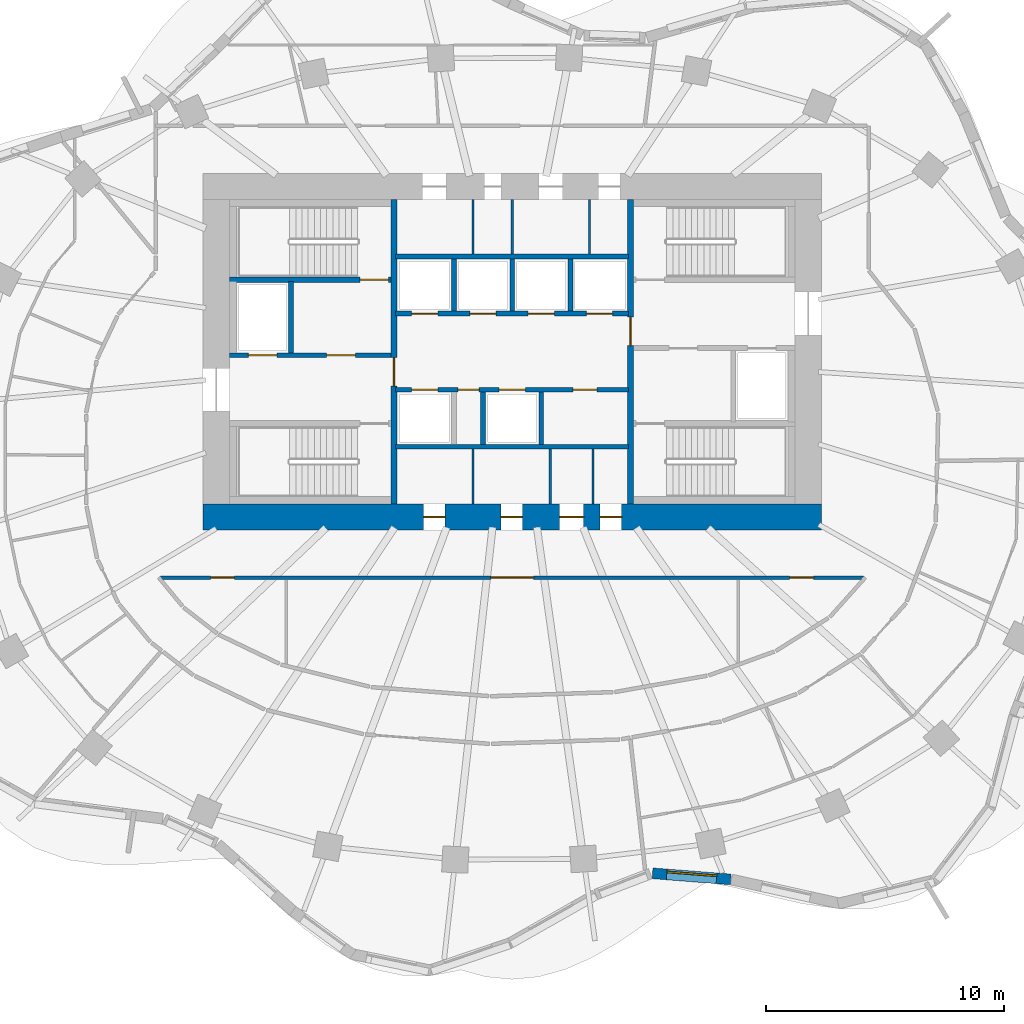
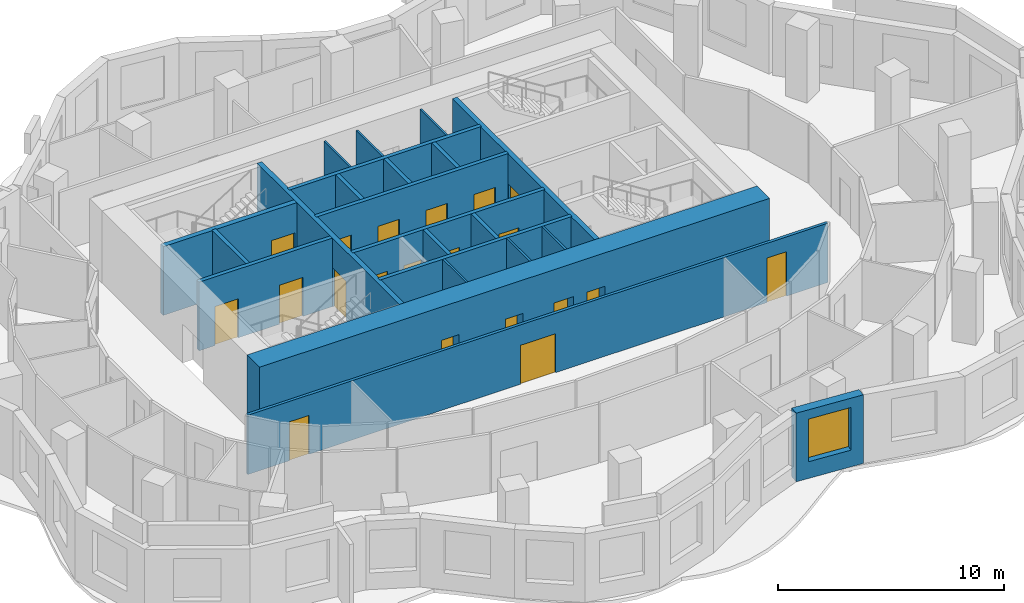
# One storey, part 5 of 10: 23 walls, 20 doors, 1 window, 21 openings.
"""IFC4 building model written with IfcOpenShell, lengths in metres."""

from ifc_helpers import new_model, si_unit, direction, frame, frame_2d, origin, place, context, subcontext, project, spatial, rectangle, extrude, material, layer, layer_set, type_object, element, fill, save


model = new_model("IFC4")

# Units and contexts
model_context = context("Model", 3, precision=1e-05, world=origin(), true_north=direction((0.0, 1.0)))
body_context = subcontext(model_context, "Body", "Model", "MODEL_VIEW")
ifc_project = project(units=[si_unit("LENGTHUNIT", "METRE"), si_unit("AREAUNIT", "SQUARE_METRE"), si_unit("VOLUMEUNIT", "CUBIC_METRE"), si_unit("PLANEANGLEUNIT", "RADIAN"), si_unit("MASSUNIT", "GRAM", prefix="KILO")], contexts=[model_context])

# Site, building, storey
site_placement = place(None, origin())
site = spatial("IfcSite", under=ifc_project, at=site_placement, CompositionType="ELEMENT")
building_placement = place(site_placement, origin())
building = spatial("IfcBuilding", under=site, at=building_placement, Name="Rubra Terraces Tower", CompositionType="ELEMENT")
storey_placement = place(building_placement, frame((0.0, 0.0, 161.699951171875)))
storey = spatial("IfcBuildingStorey", under=building, at=storey_placement, Name="L39", CompositionType="ELEMENT", Elevation=161.699951171875)

# Wall, opening, window
ifc_material_1 = material(Name="Brick masonry red-brown", Category="masonry")
ifc_layer_1 = layer(ifc_material_1, 0.449951171875)
ifc_layer_set_1 = layer_set([ifc_layer_1], Name="Brick masonry red-brown")
wall_type_1 = type_object("IfcWallType", Name="Brick facade wall 450", PredefinedType="SOLIDWALL", material=ifc_layer_set_1)
wall_1_placement = place(storey_placement, frame((5.902587890625, -17.4404296875, 0.0), z_axis=(0.0, 0.0, 1.0), x_axis=(0.996964477799, -0.077857754954, 0.0)))
wall_1 = element("IfcWall", 1, at=wall_1_placement, inside=storey, type_object=wall_type_1, Name="Facade wall L39 bay 33", PredefinedType="SOLIDWALL", context=body_context, shape_type="SweptSolid", body=[
    extrude(rectangle(XDim=3.295654296875, YDim=0.449951171875, at=frame_2d((1.64794921875, 0.0))), origin(), (0.0, 0.0, 1.0), 3.699951171875),
])
opening_1_placement = place(wall_1_placement, frame((0.597900390625, 0.0, 0.89990234375)))
opening_1 = element("IfcOpeningElement", 2, at=opening_1_placement, cuts=wall_1, Name="Opening W1B", PredefinedType="OPENING", context=body_context, shape_type="SweptSolid", body=[
    extrude(rectangle(XDim=2.10009765625, YDim=2.300048828125, at=frame_2d((1.050048828125, 1.14990234375))), frame((0.0, 0.23486328125, 0.0), z_axis=(0.0, -1.0, 0.0), x_axis=(1.0, 0.0, 0.0)), (0.0, 0.0, 1.0), 0.469970703125),
])
ifc_material_2 = material(Name="Clear glass in aluminium frame", Category="aluminium")
window_type = type_object("IfcWindowType", Name="Fixed deep-set window tall storey 2100 x 2300", PartitioningType="SINGLE_PANEL", PredefinedType="WINDOW", material=ifc_material_2)
window_placement = place(opening_1_placement, origin())
window = element("IfcWindow", 3, at=window_placement, inside=storey, type_object=window_type, Name="Window L39 bay 33", OverallHeight=2.300048828125, OverallWidth=2.10009765625, PartitioningType="SINGLE_PANEL", PredefinedType="WINDOW", context=body_context, shape_type="SweptSolid", body=[
    extrude(rectangle(XDim=2.10009765625, YDim=2.300048828125, at=frame_2d((1.050048828125, 1.14990234375))), frame((0.0, 0.135009765625, 0.0), z_axis=(0.0, -1.0, 0.0), x_axis=(1.0, 0.0, 0.0)), (0.0, 0.0, 1.0), 0.06005859375),
])
fill(opening_1, window)

# Wall, openings, doors
ifc_material_3 = material(Name="Concrete C60", Category="concrete")
ifc_layer_2 = layer(ifc_material_3, 1.10009765625)
ifc_layer_set_2 = layer_set([ifc_layer_2], Name="Concrete C60")
wall_type_2 = type_object("IfcWallType", Name="CORE WALL 1100 C60", PredefinedType="SHEAR", material=ifc_layer_set_2)
wall_2_placement = place(storey_placement, frame((-13.0, -2.449951171875, 0.0), z_axis=(0.0, 0.0, 1.0), x_axis=(1.0, 0.0, 0.0)))
wall_2 = element("IfcWall", 4, at=wall_2_placement, inside=storey, type_object=wall_type_2, Name="CORE WALL S L39", PredefinedType="SHEAR", context=body_context, shape_type="SweptSolid", body=[
    extrude(rectangle(XDim=26.0, YDim=1.10009765625, at=frame_2d((13.0, 0.0))), origin(), (0.0, 0.0, 1.0), 3.900146484375),
])
opening_2_placement = place(wall_2_placement, frame((9.27490234375, 0.0, 0.0)))
opening_2 = element("IfcOpeningElement", 5, at=opening_2_placement, cuts=wall_2, Name="Opening L39.C21", PredefinedType="OPENING", context=body_context, shape_type="SweptSolid", body=[
    extrude(rectangle(XDim=0.89990234375, YDim=2.10009765625, at=frame_2d((0.449951171875, 1.050048828125))), frame((0.0, 0.56005859375, 0.0), z_axis=(0.0, -1.0, 0.0), x_axis=(1.0, 0.0, 0.0)), (0.0, 0.0, 1.0), 1.1201171875),
])
opening_3_placement = place(wall_2_placement, frame((12.52490234375, 0.0, 0.0)))
opening_3 = element("IfcOpeningElement", 6, at=opening_3_placement, cuts=wall_2, Name="Opening L39.C22", PredefinedType="OPENING", context=body_context, shape_type="SweptSolid", body=[
    extrude(rectangle(XDim=0.89990234375, YDim=2.10009765625, at=frame_2d((0.449951171875, 1.050048828125))), frame((0.0, 0.56005859375, 0.0), z_axis=(0.0, -1.0, 0.0), x_axis=(1.0, 0.0, 0.0)), (0.0, 0.0, 1.0), 1.1201171875),
])
opening_4_placement = place(wall_2_placement, frame((15.0, 0.0, 0.0)))
opening_4 = element("IfcOpeningElement", 7, at=opening_4_placement, cuts=wall_2, Name="Opening L39.C23", PredefinedType="OPENING", context=body_context, shape_type="SweptSolid", body=[
    extrude(rectangle(XDim=1.0, YDim=2.10009765625, at=frame_2d((0.5, 1.050048828125))), frame((0.0, 0.56005859375, 0.0), z_axis=(0.0, -1.0, 0.0), x_axis=(1.0, 0.0, 0.0)), (0.0, 0.0, 1.0), 1.1201171875),
])
opening_5_placement = place(wall_2_placement, frame((16.699951171875, 0.0, 0.0)))
opening_5 = element("IfcOpeningElement", 8, at=opening_5_placement, cuts=wall_2, Name="Opening L39.C24", PredefinedType="OPENING", context=body_context, shape_type="SweptSolid", body=[
    extrude(rectangle(XDim=0.89990234375, YDim=2.10009765625, at=frame_2d((0.449951171875, 1.050048828125))), frame((0.0, 0.56005859375, 0.0), z_axis=(0.0, -1.0, 0.0), x_axis=(1.0, 0.0, 0.0)), (0.0, 0.0, 1.0), 1.1201171875),
])
ifc_material_4 = material(Name="Painted steel", Category="steel")
door_type_1 = type_object("IfcDoorType", Name="Fire door 1000x2100 single", OperationType="NOTDEFINED", PredefinedType="DOOR", material=ifc_material_4)
door_1_placement = place(opening_4_placement, origin())
door_1 = element("IfcDoor", 9, at=door_1_placement, inside=storey, type_object=door_type_1, Name="Accessible WC door", OperationType="SINGLE_SWING_LEFT", OverallHeight=2.10009765625, OverallWidth=1.0, PredefinedType="DOOR", context=body_context, shape_type="SweptSolid", body=[
    extrude(rectangle(XDim=1.0, YDim=2.10009765625, at=frame_2d((0.5, 1.050048828125))), frame((0.0, 0.02490234375, 0.0), z_axis=(0.0, -1.0, 0.0), x_axis=(1.0, 0.0, 0.0)), (0.0, 0.0, 1.0), 0.050048828125),
])
fill(opening_4, door_1)
door_type_2 = type_object("IfcDoorType", Name="Fire door 900x2100 single", OperationType="NOTDEFINED", PredefinedType="DOOR", material=ifc_material_4)
door_2_placement = place(opening_2_placement, origin())
door_2 = element("IfcDoor", 10, at=door_2_placement, inside=storey, type_object=door_type_2, Name="Ladies WC door", OperationType="SINGLE_SWING_LEFT", OverallHeight=2.10009765625, OverallWidth=0.89990234375, PredefinedType="DOOR", context=body_context, shape_type="SweptSolid", body=[
    extrude(rectangle(XDim=0.89990234375, YDim=2.10009765625, at=frame_2d((0.449951171875, 1.050048828125))), frame((0.0, 0.02490234375, 0.0), z_axis=(0.0, -1.0, 0.0), x_axis=(1.0, 0.0, 0.0)), (0.0, 0.0, 1.0), 0.050048828125),
])
fill(opening_2, door_2)
door_3_placement = place(opening_3_placement, origin())
door_3 = element("IfcDoor", 11, at=door_3_placement, inside=storey, type_object=door_type_2, Name="Gents WC door", OperationType="SINGLE_SWING_RIGHT", OverallHeight=2.10009765625, OverallWidth=0.89990234375, PredefinedType="DOOR", context=body_context, shape_type="SweptSolid", body=[
    extrude(rectangle(XDim=0.89990234375, YDim=2.10009765625, at=frame_2d((0.449951171875, 1.050048828125))), frame((0.0, 0.02490234375, 0.0), z_axis=(0.0, -1.0, 0.0), x_axis=(1.0, 0.0, 0.0)), (0.0, 0.0, 1.0), 0.050048828125),
])
fill(opening_3, door_3)
door_4_placement = place(opening_5_placement, origin())
door_4 = element("IfcDoor", 12, at=door_4_placement, inside=storey, type_object=door_type_2, Name="Cleaner's store door", OperationType="SINGLE_SWING_RIGHT", OverallHeight=2.10009765625, OverallWidth=0.89990234375, PredefinedType="DOOR", context=body_context, shape_type="SweptSolid", body=[
    extrude(rectangle(XDim=0.89990234375, YDim=2.10009765625, at=frame_2d((0.449951171875, 1.050048828125))), frame((0.0, 0.02490234375, 0.0), z_axis=(0.0, -1.0, 0.0), x_axis=(1.0, 0.0, 0.0)), (0.0, 0.0, 1.0), 0.050048828125),
])
fill(opening_5, door_4)

ifc_material_5 = material(Name="Plasterboard on steel stud, mineral wool infill", Category="steel")
ifc_layer_3 = layer(ifc_material_5, 0.14990234375)
ifc_layer_set_3 = layer_set([ifc_layer_3], Name="Plasterboard on steel stud, mineral wool infill")
wall_type_3 = type_object("IfcWallType", Name="CORRIDOR PARTITION 150", PredefinedType="PARTITIONING", material=ifc_layer_set_3)
wall_3_placement = place(storey_placement, frame((-14.7890625, -5.0, 0.0), z_axis=(0.0, 0.0, 1.0), x_axis=(1.0, 0.0, 0.0)))
wall_3 = element("IfcWall", 13, at=wall_3_placement, inside=storey, type_object=wall_type_3, Name="PARTITION", PredefinedType="PARTITIONING", context=body_context, shape_type="SweptSolid", body=[
    extrude(rectangle(XDim=29.56201171875, YDim=0.14990234375, at=frame_2d((14.781005859375, 0.0))), origin(), (0.0, 0.0, 1.0), 3.197998046875),
])
opening_6_placement = place(wall_3_placement, frame((2.10693359375, 0.0, 0.0)))
opening_6 = element("IfcOpeningElement", 14, at=opening_6_placement, cuts=wall_3, Name="Opening 39-118", PredefinedType="OPENING", context=body_context, shape_type="SweptSolid", body=[
    extrude(rectangle(XDim=1.0, YDim=2.10009765625, at=frame_2d((0.5, 1.050048828125))), frame((0.0, 0.0849609375, 0.0), z_axis=(0.0, -1.0, 0.0), x_axis=(1.0, 0.0, 0.0)), (0.0, 0.0, 1.0), 0.169921875),
])
opening_7_placement = place(wall_3_placement, frame((13.888916015625, 0.0, 0.0)))
opening_7 = element("IfcOpeningElement", 15, at=opening_7_placement, cuts=wall_3, Name="Opening 39-119", PredefinedType="OPENING", context=body_context, shape_type="SweptSolid", body=[
    extrude(rectangle(XDim=1.800048828125, YDim=2.10009765625, at=frame_2d((0.89990234375, 1.050048828125))), frame((0.0, 0.0849609375, 0.0), z_axis=(0.0, -1.0, 0.0), x_axis=(1.0, 0.0, 0.0)), (0.0, 0.0, 1.0), 0.169921875),
])
opening_8_placement = place(wall_3_placement, frame((26.462890625, 0.0, 0.0)))
opening_8 = element("IfcOpeningElement", 16, at=opening_8_placement, cuts=wall_3, Name="Opening 39-120", PredefinedType="OPENING", context=body_context, shape_type="SweptSolid", body=[
    extrude(rectangle(XDim=1.0, YDim=2.39990234375, at=frame_2d((0.5, 1.199951171875))), frame((0.0, 0.0849609375, 0.0), z_axis=(0.0, -1.0, 0.0), x_axis=(1.0, 0.0, 0.0)), (0.0, 0.0, 1.0), 0.169921875),
])
ifc_material_6 = material(Name="Glazed aluminium meeting door leaf", Category="aluminium")
door_type_3 = type_object("IfcDoorType", Name="MEETING ROOM GLAZED DOOR 1000 X 2400", OperationType="SINGLE_SWING_LEFT", PredefinedType="DOOR", material=ifc_material_6)
door_5_placement = place(opening_8_placement, origin())
door_5 = element("IfcDoor", 17, at=door_5_placement, inside=storey, type_object=door_type_3, Name="DOOR 39-120", OperationType="SINGLE_SWING_RIGHT", OverallHeight=2.39990234375, OverallWidth=1.0, PredefinedType="DOOR", context=body_context, shape_type="SweptSolid", body=[
    extrude(rectangle(XDim=1.0, YDim=2.39990234375, at=frame_2d((0.5, 1.199951171875))), frame((0.0, 0.02490234375, 0.0), z_axis=(0.0, -1.0, 0.0), x_axis=(1.0, 0.0, 0.0)), (0.0, 0.0, 1.0), 0.050048828125),
])
fill(opening_8, door_5)
ifc_material_7 = material(Name="Painted timber door leaf", Category="wood")
door_type_4 = type_object("IfcDoorType", Name="ROOM DOOR 1000 X 2100", OperationType="SINGLE_SWING_LEFT", PredefinedType="DOOR", material=ifc_material_7)
door_6_placement = place(opening_6_placement, origin())
door_6 = element("IfcDoor", 18, at=door_6_placement, inside=storey, type_object=door_type_4, Name="DOOR 39-118", OperationType="SINGLE_SWING_RIGHT", OverallHeight=2.10009765625, OverallWidth=1.0, PredefinedType="DOOR", context=body_context, shape_type="SweptSolid", body=[
    extrude(rectangle(XDim=1.0, YDim=2.10009765625, at=frame_2d((0.5, 1.050048828125))), frame((0.0, 0.02490234375, 0.0), z_axis=(0.0, -1.0, 0.0), x_axis=(1.0, 0.0, 0.0)), (0.0, 0.0, 1.0), 0.050048828125),
])
fill(opening_6, door_6)
ifc_material_8 = material(Name="Painted timber door leaf, double", Category="wood")
door_type_5 = type_object("IfcDoorType", Name="ROOM DOUBLE DOOR 1800 X 2100", OperationType="DOUBLE_DOOR_SINGLE_SWING", PredefinedType="DOOR", material=ifc_material_8)
door_7_placement = place(opening_7_placement, origin())
door_7 = element("IfcDoor", 19, at=door_7_placement, inside=storey, type_object=door_type_5, Name="DOOR 39-119", OperationType="DOUBLE_DOOR_SINGLE_SWING", OverallHeight=2.10009765625, OverallWidth=1.800048828125, PredefinedType="DOOR", context=body_context, shape_type="SweptSolid", body=[
    extrude(rectangle(XDim=1.800048828125, YDim=2.10009765625, at=frame_2d((0.89990234375, 1.050048828125))), frame((0.0, 0.02490234375, 0.0), z_axis=(0.0, -1.0, 0.0), x_axis=(1.0, 0.0, 0.0)), (0.0, 0.0, 1.0), 0.050048828125),
])
fill(opening_7, door_7)

ifc_material_9 = material(Name="Concrete C30", Category="concrete")
ifc_layer_4 = layer(ifc_material_9, 0.199951171875)
ifc_layer_set_4 = layer_set([ifc_layer_4], Name="Concrete C30")
wall_type_4 = type_object("IfcWallType", Name="Core wall 200 concrete", PredefinedType="SOLIDWALL", material=ifc_layer_set_4)
wall_4_placement = place(storey_placement, frame((-11.89990234375, 4.35009765625, 0.0), z_axis=(0.0, 0.0, 1.0), x_axis=(1.0, 0.0, 0.0)))
wall_4 = element("IfcWall", 20, at=wall_4_placement, inside=storey, type_object=wall_type_4, Name="STAIR WALL L39", PredefinedType="SOLIDWALL", context=body_context, shape_type="SweptSolid", body=[
    extrude(rectangle(XDim=6.7998046875, YDim=0.199951171875, at=frame_2d((3.39990234375, 0.0))), origin(), (0.0, 0.0, 1.0), 3.699951171875),
])
opening_9_placement = place(wall_4_placement, frame((4.10009765625, 0.0, 0.0)))
opening_9 = element("IfcOpeningElement", 21, at=opening_9_placement, cuts=wall_4, Name="Opening L39.C05", PredefinedType="OPENING", context=body_context, shape_type="SweptSolid", body=[
    extrude(rectangle(XDim=1.199951171875, YDim=2.10009765625, at=frame_2d((0.60009765625, 1.050048828125))), frame((0.0, 0.10986328125, 0.0), z_axis=(0.0, -1.0, 0.0), x_axis=(1.0, 0.0, 0.0)), (0.0, 0.0, 1.0), 0.219970703125),
])
opening_10_placement = place(wall_4_placement, frame((0.800048828125, 0.0, 0.0)))
opening_10 = element("IfcOpeningElement", 22, at=opening_10_placement, cuts=wall_4, Name="Opening L39.C11", PredefinedType="OPENING", context=body_context, shape_type="SweptSolid", body=[
    extrude(rectangle(XDim=1.199951171875, YDim=2.10009765625, at=frame_2d((0.60009765625, 1.050048828125))), frame((0.0, 0.10986328125, 0.0), z_axis=(0.0, -1.0, 0.0), x_axis=(1.0, 0.0, 0.0)), (0.0, 0.0, 1.0), 0.219970703125),
])
door_type_6 = type_object("IfcDoorType", Name="Fire door 1200x2100 single", OperationType="NOTDEFINED", PredefinedType="DOOR", material=ifc_material_4)
door_8_placement = place(opening_9_placement, origin())
door_8 = element("IfcDoor", 23, at=door_8_placement, inside=storey, type_object=door_type_6, Name="Stair vestibule door S2", OperationType="SINGLE_SWING_LEFT", OverallHeight=2.10009765625, OverallWidth=1.199951171875, PredefinedType="DOOR", context=body_context, shape_type="SweptSolid", body=[
    extrude(rectangle(XDim=1.199951171875, YDim=2.10009765625, at=frame_2d((0.60009765625, 1.050048828125))), frame((0.0, 0.02490234375, 0.0), z_axis=(0.0, -1.0, 0.0), x_axis=(1.0, 0.0, 0.0)), (0.0, 0.0, 1.0), 0.050048828125),
])
fill(opening_9, door_8)
ifc_material_10 = material(Name="Stainless steel", Category="steel")
door_type_7 = type_object("IfcDoorType", Name="Lift landing door 1200x2100", OperationType="NOTDEFINED", PredefinedType="DOOR", material=ifc_material_10)
door_9_placement = place(opening_10_placement, origin())
door_9 = element("IfcDoor", 24, at=door_9_placement, inside=storey, type_object=door_type_7, Name="Landing door FF1", OperationType="SLIDING_TO_RIGHT", OverallHeight=2.10009765625, OverallWidth=1.199951171875, PredefinedType="DOOR", context=body_context, shape_type="SweptSolid", body=[
    extrude(rectangle(XDim=1.199951171875, YDim=2.10009765625, at=frame_2d((0.60009765625, 1.050048828125))), frame((0.0, 0.02490234375, 0.0), z_axis=(0.0, -1.0, 0.0), x_axis=(1.0, 0.0, 0.0)), (0.0, 0.0, 1.0), 0.050048828125),
])
fill(opening_10, door_9)

# Walls
wall_5_placement = place(storey_placement, frame((-9.300048828125, 4.449951171875, 0.0), z_axis=(0.0, 0.0, 1.0), x_axis=(0.0, 1.0, 0.0)))
element("IfcWall", 25, at=wall_5_placement, inside=storey, type_object=wall_type_4, Name="STAIR WALL L39", PredefinedType="SOLIDWALL", context=body_context, shape_type="SweptSolid", body=[
    extrude(rectangle(XDim=3.0, YDim=0.199951171875, at=frame_2d((1.5, 0.0))), origin(), (0.0, 0.0, 1.0), 3.699951171875),
])
wall_6_placement = place(storey_placement, frame((-4.89990234375, 0.5, 0.0), z_axis=(0.0, 0.0, 1.0), x_axis=(1.0, 0.0, 0.0)))
element("IfcWall", 26, at=wall_6_placement, inside=storey, type_object=wall_type_4, Name="LIFT SHAFT WALL L39", PredefinedType="SOLIDWALL", context=body_context, shape_type="SweptSolid", body=[
    extrude(rectangle(XDim=9.7998046875, YDim=0.199951171875, at=frame_2d((4.89990234375, 0.0))), origin(), (0.0, 0.0, 1.0), 3.699951171875),
])

# Wall, openings, doors
wall_7_placement = place(storey_placement, frame((-4.89990234375, 2.89990234375, 0.0), z_axis=(0.0, 0.0, 1.0), x_axis=(1.0, 0.0, 0.0)))
wall_7 = element("IfcWall", 27, at=wall_7_placement, inside=storey, type_object=wall_type_4, Name="LIFT SHAFT WALL L39", PredefinedType="SOLIDWALL", context=body_context, shape_type="SweptSolid", body=[
    extrude(rectangle(XDim=9.7998046875, YDim=0.199951171875, at=frame_2d((4.89990234375, 0.0))), origin(), (0.0, 0.0, 1.0), 3.699951171875),
])
opening_11_placement = place(wall_7_placement, frame((0.675048828125, 0.0, 0.0)))
opening_11 = element("IfcOpeningElement", 28, at=opening_11_placement, cuts=wall_7, Name="Opening L39.C13", PredefinedType="OPENING", context=body_context, shape_type="SweptSolid", body=[
    extrude(rectangle(XDim=1.10009765625, YDim=2.10009765625, at=frame_2d((0.550048828125, 1.050048828125))), frame((0.0, 0.10986328125, 0.0), z_axis=(0.0, -1.0, 0.0), x_axis=(1.0, 0.0, 0.0)), (0.0, 0.0, 1.0), 0.219970703125),
])
opening_12_placement = place(wall_7_placement, frame((2.613037109375, 0.0, 0.0)))
opening_12 = element("IfcOpeningElement", 29, at=opening_12_placement, cuts=wall_7, Name="Opening L39.C14", PredefinedType="OPENING", context=body_context, shape_type="SweptSolid", body=[
    extrude(rectangle(XDim=0.89990234375, YDim=2.10009765625, at=frame_2d((0.449951171875, 1.050048828125))), frame((0.0, 0.10986328125, 0.0), z_axis=(0.0, -1.0, 0.0), x_axis=(1.0, 0.0, 0.0)), (0.0, 0.0, 1.0), 0.219970703125),
])
opening_13_placement = place(wall_7_placement, frame((4.35009765625, 0.0, 0.0)))
opening_13 = element("IfcOpeningElement", 30, at=opening_13_placement, cuts=wall_7, Name="Opening L39.C15", PredefinedType="OPENING", context=body_context, shape_type="SweptSolid", body=[
    extrude(rectangle(XDim=1.10009765625, YDim=2.10009765625, at=frame_2d((0.550048828125, 1.050048828125))), frame((0.0, 0.10986328125, 0.0), z_axis=(0.0, -1.0, 0.0), x_axis=(1.0, 0.0, 0.0)), (0.0, 0.0, 1.0), 0.219970703125),
])
opening_14_placement = place(wall_7_placement, frame((7.462890625, 0.0, 0.0)))
opening_14 = element("IfcOpeningElement", 31, at=opening_14_placement, cuts=wall_7, Name="Opening L39.C16", PredefinedType="OPENING", context=body_context, shape_type="SweptSolid", body=[
    extrude(rectangle(XDim=1.0, YDim=2.10009765625, at=frame_2d((0.5, 1.050048828125))), frame((0.0, 0.10986328125, 0.0), z_axis=(0.0, -1.0, 0.0), x_axis=(1.0, 0.0, 0.0)), (0.0, 0.0, 1.0), 0.219970703125),
])
door_10_placement = place(opening_14_placement, origin())
door_10 = element("IfcDoor", 32, at=door_10_placement, inside=storey, type_object=door_type_1, Name="General store door", OperationType="SINGLE_SWING_RIGHT", OverallHeight=2.10009765625, OverallWidth=1.0, PredefinedType="DOOR", context=body_context, shape_type="SweptSolid", body=[
    extrude(rectangle(XDim=1.0, YDim=2.10009765625, at=frame_2d((0.5, 1.050048828125))), frame((0.0, 0.02490234375, 0.0), z_axis=(0.0, -1.0, 0.0), x_axis=(1.0, 0.0, 0.0)), (0.0, 0.0, 1.0), 0.050048828125),
])
fill(opening_14, door_10)
door_11_placement = place(opening_12_placement, origin())
door_11 = element("IfcDoor", 33, at=door_11_placement, inside=storey, type_object=door_type_2, Name="Cleaner's store door", OperationType="SINGLE_SWING_RIGHT", OverallHeight=2.10009765625, OverallWidth=0.89990234375, PredefinedType="DOOR", context=body_context, shape_type="SweptSolid", body=[
    extrude(rectangle(XDim=0.89990234375, YDim=2.10009765625, at=frame_2d((0.449951171875, 1.050048828125))), frame((0.0, 0.02490234375, 0.0), z_axis=(0.0, -1.0, 0.0), x_axis=(1.0, 0.0, 0.0)), (0.0, 0.0, 1.0), 0.050048828125),
])
fill(opening_12, door_11)
door_type_8 = type_object("IfcDoorType", Name="Lift landing door 1100x2100", OperationType="NOTDEFINED", PredefinedType="DOOR", material=ifc_material_10)
door_12_placement = place(opening_11_placement, origin())
door_12 = element("IfcDoor", 34, at=door_12_placement, inside=storey, type_object=door_type_8, Name="Landing door HB1", OperationType="SLIDING_TO_RIGHT", OverallHeight=2.10009765625, OverallWidth=1.10009765625, PredefinedType="DOOR", context=body_context, shape_type="SweptSolid", body=[
    extrude(rectangle(XDim=1.10009765625, YDim=2.10009765625, at=frame_2d((0.550048828125, 1.050048828125))), frame((0.0, 0.02490234375, 0.0), z_axis=(0.0, -1.0, 0.0), x_axis=(1.0, 0.0, 0.0)), (0.0, 0.0, 1.0), 0.050048828125),
])
fill(opening_11, door_12)
door_13_placement = place(opening_13_placement, origin())
door_13 = element("IfcDoor", 35, at=door_13_placement, inside=storey, type_object=door_type_8, Name="Landing door HB2", OperationType="SLIDING_TO_LEFT", OverallHeight=2.10009765625, OverallWidth=1.10009765625, PredefinedType="DOOR", context=body_context, shape_type="SweptSolid", body=[
    extrude(rectangle(XDim=1.10009765625, YDim=2.10009765625, at=frame_2d((0.550048828125, 1.050048828125))), frame((0.0, 0.02490234375, 0.0), z_axis=(0.0, -1.0, 0.0), x_axis=(1.0, 0.0, 0.0)), (0.0, 0.0, 1.0), 0.050048828125),
])
fill(opening_13, door_13)

wall_8_placement = place(storey_placement, frame((-4.89990234375, 6.10009765625, 0.0), z_axis=(0.0, 0.0, 1.0), x_axis=(1.0, 0.0, 0.0)))
wall_8 = element("IfcWall", 36, at=wall_8_placement, inside=storey, type_object=wall_type_4, Name="LIFT SHAFT WALL L39", PredefinedType="SOLIDWALL", context=body_context, shape_type="SweptSolid", body=[
    extrude(rectangle(XDim=9.7998046875, YDim=0.199951171875, at=frame_2d((4.89990234375, 0.0))), origin(), (0.0, 0.0, 1.0), 3.699951171875),
])
opening_15_placement = place(wall_8_placement, frame((0.675048828125, 0.0, 0.0)))
opening_15 = element("IfcOpeningElement", 37, at=opening_15_placement, cuts=wall_8, Name="Opening L39.C17", PredefinedType="OPENING", context=body_context, shape_type="SweptSolid", body=[
    extrude(rectangle(XDim=1.10009765625, YDim=2.10009765625, at=frame_2d((0.550048828125, 1.050048828125))), frame((0.0, 0.10986328125, 0.0), z_axis=(0.0, -1.0, 0.0), x_axis=(1.0, 0.0, 0.0)), (0.0, 0.0, 1.0), 0.219970703125),
])
opening_16_placement = place(wall_8_placement, frame((3.125, 0.0, 0.0)))
opening_16 = element("IfcOpeningElement", 38, at=opening_16_placement, cuts=wall_8, Name="Opening L39.C18", PredefinedType="OPENING", context=body_context, shape_type="SweptSolid", body=[
    extrude(rectangle(XDim=1.10009765625, YDim=2.10009765625, at=frame_2d((0.550048828125, 1.050048828125))), frame((0.0, 0.10986328125, 0.0), z_axis=(0.0, -1.0, 0.0), x_axis=(1.0, 0.0, 0.0)), (0.0, 0.0, 1.0), 0.219970703125),
])
opening_17_placement = place(wall_8_placement, frame((5.574951171875, 0.0, 0.0)))
opening_17 = element("IfcOpeningElement", 39, at=opening_17_placement, cuts=wall_8, Name="Opening L39.C19", PredefinedType="OPENING", context=body_context, shape_type="SweptSolid", body=[
    extrude(rectangle(XDim=1.10009765625, YDim=2.10009765625, at=frame_2d((0.550048828125, 1.050048828125))), frame((0.0, 0.10986328125, 0.0), z_axis=(0.0, -1.0, 0.0), x_axis=(1.0, 0.0, 0.0)), (0.0, 0.0, 1.0), 0.219970703125),
])
opening_18_placement = place(wall_8_placement, frame((8.02490234375, 0.0, 0.0)))
opening_18 = element("IfcOpeningElement", 40, at=opening_18_placement, cuts=wall_8, Name="Opening L39.C20", PredefinedType="OPENING", context=body_context, shape_type="SweptSolid", body=[
    extrude(rectangle(XDim=1.10009765625, YDim=2.10009765625, at=frame_2d((0.550048828125, 1.050048828125))), frame((0.0, 0.10986328125, 0.0), z_axis=(0.0, -1.0, 0.0), x_axis=(1.0, 0.0, 0.0)), (0.0, 0.0, 1.0), 0.219970703125),
])
door_14_placement = place(opening_15_placement, origin())
door_14 = element("IfcDoor", 41, at=door_14_placement, inside=storey, type_object=door_type_8, Name="Landing door HB3", OperationType="SLIDING_TO_RIGHT", OverallHeight=2.10009765625, OverallWidth=1.10009765625, PredefinedType="DOOR", context=body_context, shape_type="SweptSolid", body=[
    extrude(rectangle(XDim=1.10009765625, YDim=2.10009765625, at=frame_2d((0.550048828125, 1.050048828125))), frame((0.0, 0.02490234375, 0.0), z_axis=(0.0, -1.0, 0.0), x_axis=(1.0, 0.0, 0.0)), (0.0, 0.0, 1.0), 0.050048828125),
])
fill(opening_15, door_14)
door_15_placement = place(opening_16_placement, origin())
door_15 = element("IfcDoor", 42, at=door_15_placement, inside=storey, type_object=door_type_8, Name="Landing door HB4", OperationType="SLIDING_TO_LEFT", OverallHeight=2.10009765625, OverallWidth=1.10009765625, PredefinedType="DOOR", context=body_context, shape_type="SweptSolid", body=[
    extrude(rectangle(XDim=1.10009765625, YDim=2.10009765625, at=frame_2d((0.550048828125, 1.050048828125))), frame((0.0, 0.02490234375, 0.0), z_axis=(0.0, -1.0, 0.0), x_axis=(1.0, 0.0, 0.0)), (0.0, 0.0, 1.0), 0.050048828125),
])
fill(opening_16, door_15)
door_16_placement = place(opening_17_placement, origin())
door_16 = element("IfcDoor", 43, at=door_16_placement, inside=storey, type_object=door_type_8, Name="Landing door HB5", OperationType="SLIDING_TO_RIGHT", OverallHeight=2.10009765625, OverallWidth=1.10009765625, PredefinedType="DOOR", context=body_context, shape_type="SweptSolid", body=[
    extrude(rectangle(XDim=1.10009765625, YDim=2.10009765625, at=frame_2d((0.550048828125, 1.050048828125))), frame((0.0, 0.02490234375, 0.0), z_axis=(0.0, -1.0, 0.0), x_axis=(1.0, 0.0, 0.0)), (0.0, 0.0, 1.0), 0.050048828125),
])
fill(opening_17, door_16)
door_17_placement = place(opening_18_placement, origin())
door_17 = element("IfcDoor", 44, at=door_17_placement, inside=storey, type_object=door_type_8, Name="Landing door HB6", OperationType="SLIDING_TO_LEFT", OverallHeight=2.10009765625, OverallWidth=1.10009765625, PredefinedType="DOOR", context=body_context, shape_type="SweptSolid", body=[
    extrude(rectangle(XDim=1.10009765625, YDim=2.10009765625, at=frame_2d((0.550048828125, 1.050048828125))), frame((0.0, 0.02490234375, 0.0), z_axis=(0.0, -1.0, 0.0), x_axis=(1.0, 0.0, 0.0)), (0.0, 0.0, 1.0), 0.050048828125),
])
fill(opening_18, door_17)

# Walls
wall_9_placement = place(storey_placement, frame((-4.89990234375, 8.5, 0.0), z_axis=(0.0, 0.0, 1.0), x_axis=(1.0, 0.0, 0.0)))
element("IfcWall", 45, at=wall_9_placement, inside=storey, type_object=wall_type_4, Name="LIFT SHAFT WALL L39", PredefinedType="SOLIDWALL", context=body_context, shape_type="SweptSolid", body=[
    extrude(rectangle(XDim=9.7998046875, YDim=0.199951171875, at=frame_2d((4.89990234375, 0.0))), origin(), (0.0, 0.0, 1.0), 3.699951171875),
])
for number, where, z_axis, x_axis, name in (
    (46, (-1.22509765625, 0.60009765625, 0.0), (0.0, 0.0, 1.0), (0.0, 1.0, 0.0), "LIFT SHAFT WALL L39"),
    (47, (1.22509765625, 0.60009765625, 0.0), (0.0, 0.0, 1.0), (0.0, 1.0, 0.0), "LIFT SHAFT WALL L39"),
    (48, (-2.449951171875, 6.199951171875, 0.0), (0.0, 0.0, 1.0), (0.0, 1.0, 0.0), "LIFT SHAFT WALL L39"),
    (49, (0.0, 6.199951171875, 0.0), (0.0, 0.0, 1.0), (0.0, 1.0, 0.0), "LIFT SHAFT WALL L39"),
    (50, (2.449951171875, 6.199951171875, 0.0), (0.0, 0.0, 1.0), (0.0, 1.0, 0.0), "LIFT SHAFT WALL L39"),
):
    element("IfcWall", number, at=place(storey_placement, frame(where, z_axis=z_axis, x_axis=x_axis)), inside=storey, type_object=wall_type_4, Name=name, PredefinedType="SOLIDWALL", context=body_context, shape_type="SweptSolid", body=[
        extrude(rectangle(XDim=2.199951171875, YDim=0.199951171875, at=frame_2d((1.10009765625, 0.0))), origin(), (0.0, 0.0, 1.0), 3.699951171875),
    ])
ifc_material_11 = material(Name="Blockwork", Category="masonry")
ifc_layer_5 = layer(ifc_material_11, 0.10009765625)
ifc_layer_set_5 = layer_set([ifc_layer_5], Name="Blockwork")
wall_type_5 = type_object("IfcWallType", Name="Service partition 100 blockwork", PredefinedType="PARTITIONING", material=ifc_layer_set_5)
for number, where, z_axis, x_axis, name in (
    (51, (-1.64990234375, -1.89990234375, 0.0), (0.0, 0.0, 1.0), (0.0, 1.0, 0.0), "SERVICE ROOM PARTITION L39"),
    (52, (1.60009765625, -1.89990234375, 0.0), (0.0, 0.0, 1.0), (0.0, 1.0, 0.0), "SERVICE ROOM PARTITION L39"),
    (53, (3.39990234375, -1.89990234375, 0.0), (0.0, 0.0, 1.0), (0.0, 1.0, 0.0), "SERVICE ROOM PARTITION L39"),
    (54, (-1.64990234375, 8.60009765625, 0.0), (0.0, 0.0, 1.0), (0.0, 1.0, 0.0), "SERVICE ROOM PARTITION L39"),
    (55, (0.0, 8.60009765625, 0.0), (0.0, 0.0, 1.0), (0.0, 1.0, 0.0), "SERVICE ROOM PARTITION L39"),
    (56, (3.25, 8.60009765625, 0.0), (0.0, 0.0, 1.0), (0.0, 1.0, 0.0), "SERVICE ROOM PARTITION L39"),
):
    element("IfcWall", number, at=place(storey_placement, frame(where, z_axis=z_axis, x_axis=x_axis)), inside=storey, type_object=wall_type_5, Name=name, PredefinedType="PARTITIONING", context=body_context, shape_type="SweptSolid", body=[
        extrude(rectangle(XDim=2.2998046875, YDim=0.10009765625, at=frame_2d((1.14990234375, 0.0))), origin(), (0.0, 0.0, 1.0), 3.699951171875),
    ])

# Wall, opening, door
ifc_material_12 = material(Name="Concrete C40", Category="concrete")
ifc_layer_6 = layer(ifc_material_12, 0.25)
ifc_layer_set_6 = layer_set([ifc_layer_6], Name="Concrete C40")
wall_type_6 = type_object("IfcWallType", Name="Stair enclosure wall 250 concrete", PredefinedType="SOLIDWALL", material=ifc_layer_set_6)
wall_10_placement = place(storey_placement, frame((-11.89990234375, 7.52490234375, 0.0), z_axis=(0.0, 0.0, 1.0), x_axis=(1.0, 0.0, 0.0)))
wall_10 = element("IfcWall", 57, at=wall_10_placement, inside=storey, type_object=wall_type_6, Name="STAIR WALL L39", PredefinedType="SOLIDWALL", context=body_context, shape_type="SweptSolid", body=[
    extrude(rectangle(XDim=6.7998046875, YDim=0.25, at=frame_2d((3.39990234375, 0.0))), origin(), (0.0, 0.0, 1.0), 3.699951171875),
])
opening_19_placement = place(wall_10_placement, frame((5.5, 0.0, 0.0)))
opening_19 = element("IfcOpeningElement", 58, at=opening_19_placement, cuts=wall_10, Name="Opening L39.C09", PredefinedType="OPENING", context=body_context, shape_type="SweptSolid", body=[
    extrude(rectangle(XDim=1.199951171875, YDim=2.10009765625, at=frame_2d((0.60009765625, 1.050048828125))), frame((0.0, 0.135009765625, 0.0), z_axis=(0.0, -1.0, 0.0), x_axis=(1.0, 0.0, 0.0)), (0.0, 0.0, 1.0), 0.27001953125),
])
door_18_placement = place(opening_19_placement, origin())
door_18 = element("IfcDoor", 59, at=door_18_placement, inside=storey, type_object=door_type_6, Name="Stair door S2", OperationType="SINGLE_SWING_LEFT", OverallHeight=2.10009765625, OverallWidth=1.199951171875, PredefinedType="DOOR", context=body_context, shape_type="SweptSolid", body=[
    extrude(rectangle(XDim=1.199951171875, YDim=2.10009765625, at=frame_2d((0.60009765625, 1.050048828125))), frame((0.0, 0.02490234375, 0.0), z_axis=(0.0, -1.0, 0.0), x_axis=(1.0, 0.0, 0.0)), (0.0, 0.0, 1.0), 0.050048828125),
])
fill(opening_19, door_18)

wall_11_placement = place(storey_placement, frame((-4.97509765625, -1.89990234375, 0.0), z_axis=(0.0, 0.0, 1.0), x_axis=(0.0, 1.0, 0.0)))
wall_11 = element("IfcWall", 60, at=wall_11_placement, inside=storey, type_object=wall_type_6, Name="CORE LOBBY WALL L39", PredefinedType="SOLIDWALL", context=body_context, shape_type="SweptSolid", body=[
    extrude(rectangle(XDim=12.7998046875, YDim=0.25, at=frame_2d((6.39990234375, 0.0))), origin(), (0.0, 0.0, 1.0), 3.699951171875),
])
opening_20_placement = place(wall_11_placement, frame((4.949951171875, 0.0, 0.0)))
opening_20 = element("IfcOpeningElement", 61, at=opening_20_placement, cuts=wall_11, Name="Opening L39.C03", PredefinedType="OPENING", context=body_context, shape_type="SweptSolid", body=[
    extrude(rectangle(XDim=1.199951171875, YDim=2.10009765625, at=frame_2d((0.60009765625, 1.050048828125))), frame((0.0, 0.135009765625, 0.0), z_axis=(0.0, -1.0, 0.0), x_axis=(1.0, 0.0, 0.0)), (0.0, 0.0, 1.0), 0.27001953125),
])
door_19_placement = place(opening_20_placement, origin())
door_19 = element("IfcDoor", 62, at=door_19_placement, inside=storey, type_object=door_type_6, Name="Firefighting lobby door FF1", OperationType="SINGLE_SWING_LEFT", OverallHeight=2.10009765625, OverallWidth=1.199951171875, PredefinedType="DOOR", context=body_context, shape_type="SweptSolid", body=[
    extrude(rectangle(XDim=1.199951171875, YDim=2.10009765625, at=frame_2d((0.60009765625, 1.050048828125))), frame((0.0, 0.02490234375, 0.0), z_axis=(0.0, -1.0, 0.0), x_axis=(1.0, 0.0, 0.0)), (0.0, 0.0, 1.0), 0.050048828125),
])
fill(opening_20, door_19)

wall_12_placement = place(storey_placement, frame((4.97509765625, 10.89990234375, 0.0), z_axis=(0.0, 0.0, 1.0), x_axis=(0.0, -1.0, 0.0)))
wall_12 = element("IfcWall", 63, at=wall_12_placement, inside=storey, type_object=wall_type_6, Name="CORE LOBBY WALL L39", PredefinedType="SOLIDWALL", context=body_context, shape_type="SweptSolid", body=[
    extrude(rectangle(XDim=12.7998046875, YDim=0.25, at=frame_2d((6.39990234375, 0.0))), origin(), (0.0, 0.0, 1.0), 3.699951171875),
])
opening_21_placement = place(wall_12_placement, frame((4.949951171875, 0.0, 0.0)))
opening_21 = element("IfcOpeningElement", 64, at=opening_21_placement, cuts=wall_12, Name="Opening L39.C04", PredefinedType="OPENING", context=body_context, shape_type="SweptSolid", body=[
    extrude(rectangle(XDim=1.199951171875, YDim=2.10009765625, at=frame_2d((0.60009765625, 1.050048828125))), frame((0.0, 0.135009765625, 0.0), z_axis=(0.0, -1.0, 0.0), x_axis=(1.0, 0.0, 0.0)), (0.0, 0.0, 1.0), 0.27001953125),
])
door_20_placement = place(opening_21_placement, origin())
door_20 = element("IfcDoor", 65, at=door_20_placement, inside=storey, type_object=door_type_6, Name="Firefighting lobby door FF2", OperationType="SINGLE_SWING_RIGHT", OverallHeight=2.10009765625, OverallWidth=1.199951171875, PredefinedType="DOOR", context=body_context, shape_type="SweptSolid", body=[
    extrude(rectangle(XDim=1.199951171875, YDim=2.10009765625, at=frame_2d((0.60009765625, 1.050048828125))), frame((0.0, 0.02490234375, 0.0), z_axis=(0.0, -1.0, 0.0), x_axis=(1.0, 0.0, 0.0)), (0.0, 0.0, 1.0), 0.050048828125),
])
fill(opening_21, door_20)

save(model, "model.ifc")
